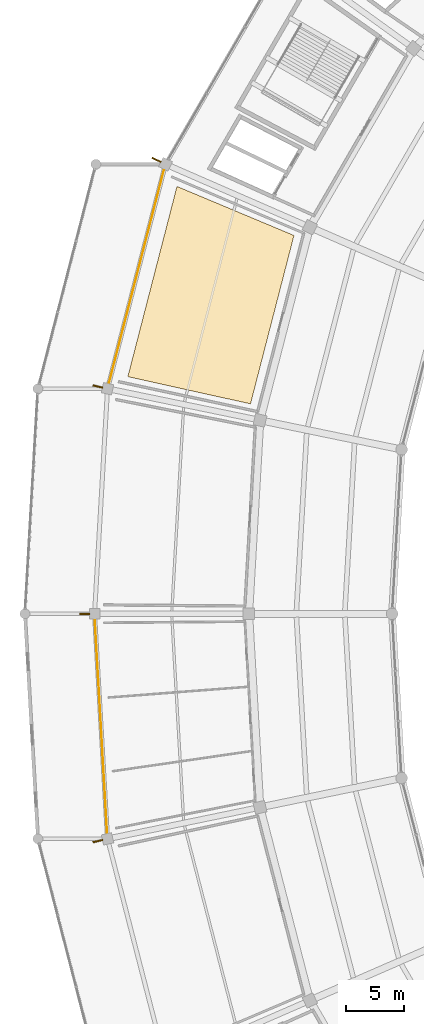
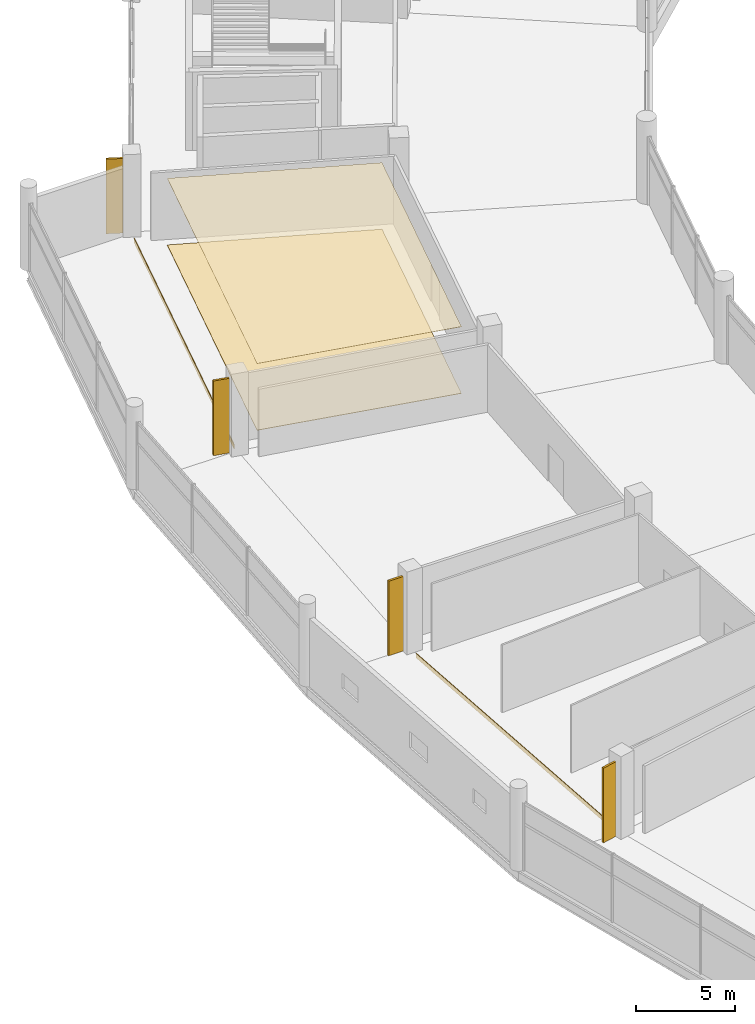
# One storey, part 179 of 184: 4 coverings, 4 shading devices.
"""IFC4 building model written with IfcOpenShell, lengths in metres."""

import ifcopenshell
import ifcopenshell.guid

model = None  # the IFC model being written
_history = None  # IfcOwnerHistory: only IFC2X3 demands one
_inside = {}  # id of a spatial element -> (the spatial element, [elements in it])
_under = {}  # id of a project, library or spatial element -> (it, [spatial elements below it])
_declared = {}  # id of a project -> (the project, [libraries it declares])
_typed = {}  # id of a type object -> (the type object, [elements of that type])
_made_of = {}  # id of a material, layer set ... -> (it, [elements and type objects made of it])


def new_model(schema):
    """Start an empty IFC model of exactly this schema.

    Asked for "IFC4X3", IfcOpenShell would pick the latest addendum, in which some entities
    have other attributes; the version numbers below select the first issue.
    IFC2X3 requires an IfcOwnerHistory on every rooted entity: one is made here for all.
    """
    global model, _history
    if schema == "IFC4X3":
        model = ifcopenshell.file(schema_version=(4, 3, 0, 0))
    else:
        model = ifcopenshell.file(schema=schema)
    _inside.clear()
    _under.clear()
    _declared.clear()
    _typed.clear()
    _made_of.clear()
    _history = None
    if model.schema == "IFC2X3":
        org = make("IfcOrganization", Name="unknown")
        user = make(
            "IfcPersonAndOrganization",
            ThePerson=make("IfcPerson", FamilyName="unknown"),
            TheOrganization=org,
        )
        app = make(
            "IfcApplication",
            ApplicationDeveloper=org,
            Version="unknown",
            ApplicationFullName="unknown",
            ApplicationIdentifier="unknown",
        )
        _history = make(
            "IfcOwnerHistory",
            OwningUser=user,
            OwningApplication=app,
            ChangeAction="ADDED",
            CreationDate=0,
        )
    return model


def make(cls, **values):
    """One entity of the class cls with the attributes given. An attribute that is None is left unset."""
    return model.create_entity(
        cls, **{name: value for name, value in values.items() if value is not None}
    )


def rooted(cls, **values):
    """An entity with a GlobalId (a new one), such as an element, a storey or a relation."""
    return make(cls, GlobalId=ifcopenshell.guid.new(), OwnerHistory=_history, **values)


def si_unit(unit_type, name, prefix=None):
    """IfcSIUnit, for example si_unit("LENGTHUNIT", "METRE", prefix="MILLI")."""
    return make("IfcSIUnit", UnitType=unit_type, Prefix=prefix, Name=name)


def assignment(units):
    """IfcUnitAssignment: the units of a project."""
    return None if units is None else make("IfcUnitAssignment", Units=units)


def point(xyz):
    """IfcCartesianPoint."""
    return None if xyz is None else make("IfcCartesianPoint", Coordinates=xyz)


def direction(xyz):
    """IfcDirection."""
    return None if xyz is None else make("IfcDirection", DirectionRatios=xyz)


def frame(location, z_axis=None, x_axis=None):
    """IfcAxis2Placement3D, a coordinate frame: its origin and axes. An axis left out is left unset."""
    return make(
        "IfcAxis2Placement3D",
        Location=point(location),
        Axis=direction(z_axis),
        RefDirection=direction(x_axis),
    )


def frame_2d(location, x_axis=None):
    """IfcAxis2Placement2D, a coordinate frame in the plane: its origin and x axis."""
    return make(
        "IfcAxis2Placement2D", Location=point(location), RefDirection=direction(x_axis)
    )


def origin():
    """The frame at (0, 0, 0) with its axes left unset."""
    return frame((0.0, 0.0, 0.0))


def origin_2d():
    """The frame at (0, 0) in the plane with its x axis left unset."""
    return frame_2d((0.0, 0.0))


def place(relative_to, where):
    """IfcLocalPlacement: puts the frame where relative to a parent placement (None: the world)."""
    return make(
        "IfcLocalPlacement", PlacementRelTo=relative_to, RelativePlacement=where
    )


def context(
    kind, dimensions, precision=None, world=None, true_north=None, identifier=None
):
    """IfcGeometricRepresentationContext, for example the 3D "Model" context."""
    return make(
        "IfcGeometricRepresentationContext",
        ContextIdentifier=identifier,
        ContextType=kind,
        CoordinateSpaceDimension=dimensions,
        Precision=precision,
        WorldCoordinateSystem=world,
        TrueNorth=true_north,
    )


def subcontext(parent, identifier, kind, view, scale=None):
    """IfcGeometricRepresentationSubContext, for example "Body" below "Model"."""
    return make(
        "IfcGeometricRepresentationSubContext",
        ContextIdentifier=identifier,
        ContextType=kind,
        ParentContext=parent,
        TargetScale=scale,
        TargetView=view,
    )


def project(units=None, contexts=None):
    """IfcProject with its units and contexts."""
    return rooted(
        "IfcProject",
        Name="project",
        RepresentationContexts=contexts,
        UnitsInContext=assignment(units),
    )


def spatial(cls, under=None, at=None, **own):
    """A site, building, storey or space (cls), placed at a placement, below another one or the project."""
    s = rooted(cls, ObjectPlacement=at, **own)
    if under is not None:
        _under.setdefault(under.id(), (under, []))[1].append(s)
    return s


def polyline(points):
    """IfcPolyline through the points."""
    return make("IfcPolyline", Points=[point(p) for p in points])


def profile(cls, at=None, kind="AREA", **sizes):
    """A parametric profile (cls). Its sizes go by their IFC names, for example OverallWidth=200.0."""
    return make(cls, ProfileType=kind, Position=at, **sizes)


def rectangle(**sizes):
    """IfcRectangleProfileDef."""
    return profile("IfcRectangleProfileDef", **sizes)


def outline(outer, holes=None, kind="AREA"):
    """IfcArbitraryClosedProfileDef: a profile drawn as a closed curve; with holes, ...WithVoids."""
    if holes is None:
        return make("IfcArbitraryClosedProfileDef", ProfileType=kind, OuterCurve=outer)
    return make(
        "IfcArbitraryProfileDefWithVoids",
        ProfileType=kind,
        OuterCurve=outer,
        InnerCurves=holes,
    )


def extrude(swept, where, along, depth):
    """IfcExtrudedAreaSolid: the profile swept, set in the frame where, extruded along a direction by depth."""
    return make(
        "IfcExtrudedAreaSolid",
        SweptArea=swept,
        Position=where,
        ExtrudedDirection=direction(along),
        Depth=depth,
    )


def shape(context_of_items, identifier, shape_type, items):
    """IfcShapeRepresentation: the items that make up one representation, for example the "Body"."""
    return make(
        "IfcShapeRepresentation",
        ContextOfItems=context_of_items,
        RepresentationIdentifier=identifier,
        RepresentationType=shape_type,
        Items=items,
    )


def material(Name=None, Category=None):
    """IfcMaterial."""
    return make("IfcMaterial", Name=Name, Category=Category)


def layer(
    of_material, thickness, ventilated=None, Name=None, Category=None, Priority=None
):
    """IfcMaterialLayer: one layer of a wall or slab, of a material (None: an air gap)."""
    return make(
        "IfcMaterialLayer",
        Material=of_material,
        LayerThickness=thickness,
        IsVentilated=ventilated,
        Name=Name,
        Category=Category,
        Priority=Priority,
    )


def layer_set(layers, Name=None):
    """IfcMaterialLayerSet."""
    return make("IfcMaterialLayerSet", MaterialLayers=layers, LayerSetName=Name)


def made_of(thing, what):
    """Note that an element or type object is made of a material, layer set ...; save() writes the relation."""
    if what is not None:
        _made_of.setdefault(what.id(), (what, []))[1].append(thing)
    return thing


def type_object(cls, material=None, **own):
    """A type object (cls), such as IfcWallType, which elements share."""
    return made_of(rooted(cls, **own), material)


def element(
    cls,
    number,
    at=None,
    inside=None,
    cuts=None,
    type_object=None,
    material=None,
    context=None,
    identifier="Body",
    shape_type=None,
    held_by="IfcProductDefinitionShape",
    body=None,
    shapes=None,
    **own,
):
    """One element of the class cls, such as IfcWall. Its Tag is "e" and its number.

    at: its placement. inside: the storey or other place that contains it. cuts: it is an
    opening in that element (IfcRelVoidsElement). A single representation is given by context,
    identifier, shape_type and body (its items); several are given by shapes. held_by: the class
    of the entity that holds the representations. save() writes the other relations.
    """
    e = rooted(cls, Tag="e%d" % number, ObjectPlacement=at, **own)
    if body is not None:
        shapes = [shape(context, identifier, shape_type, body)]
    if shapes is not None:
        e.Representation = make(held_by, Representations=shapes)
    if inside is not None:
        _inside.setdefault(inside.id(), (inside, []))[1].append(e)
    if cuts is not None:
        rooted(
            "IfcRelVoidsElement", RelatingBuildingElement=cuts, RelatedOpeningElement=e
        )
    if type_object is not None:
        _typed.setdefault(type_object.id(), (type_object, []))[1].append(e)
    return made_of(e, material)


def aggregate(whole, parts):
    """IfcRelAggregates: a whole, such as a stair, and the parts it consists of."""
    return rooted("IfcRelAggregates", RelatingObject=whole, RelatedObjects=parts)


def save(model, path):
    """Write the relations noted so far, then the file.

    IfcRelAggregates (storeys below a building ...), IfcRelContainedInSpatialStructure (elements
    in a storey), IfcRelDefinesByType, IfcRelAssociatesMaterial and IfcRelDeclares: one each for
    every whole, place, type object, material and project.
    """
    for whole, parts in _under.values():
        aggregate(whole, parts)
    for where, things in _inside.values():
        rooted(
            "IfcRelContainedInSpatialStructure",
            RelatedElements=things,
            RelatingStructure=where,
        )
    for kind, things in _typed.values():
        rooted("IfcRelDefinesByType", RelatedObjects=things, RelatingType=kind)
    for what, things in _made_of.values():
        rooted("IfcRelAssociatesMaterial", RelatedObjects=things, RelatingMaterial=what)
    for by, libraries in _declared.values():
        rooted("IfcRelDeclares", RelatingContext=by, RelatedDefinitions=libraries)
    model.write(path)


model = new_model("IFC4")

# Units and contexts
model_context = context("Model", 3, precision=1e-05, world=origin(), true_north=direction((0.0, 1.0)))
body_context = subcontext(model_context, "Body", "Model", "MODEL_VIEW")
ifc_project = project(units=[si_unit("LENGTHUNIT", "METRE"), si_unit("AREAUNIT", "SQUARE_METRE"), si_unit("VOLUMEUNIT", "CUBIC_METRE"), si_unit("PLANEANGLEUNIT", "RADIAN"), si_unit("MASSUNIT", "GRAM", prefix="KILO")], contexts=[model_context])

# Site, building, storey
site_placement = place(None, origin())
site = spatial("IfcSite", under=ifc_project, at=site_placement, CompositionType="ELEMENT")
building_placement = place(site_placement, origin())
building = spatial("IfcBuilding", under=site, at=building_placement, Name="Kazemori Nagisa Stadium", CompositionType="ELEMENT")
storey_placement = place(building_placement, frame((0.0, 0.0, 10.5400390625)))
storey = spatial("IfcBuildingStorey", under=building, at=storey_placement, Name="L02", CompositionType="ELEMENT", Elevation=10.5400390625)

# Coverings
ifc_material_1 = material(Name="Mineral-fibre acoustic board", Category="gypsum")
ifc_layer_1 = layer(ifc_material_1, 0.02001953125, Name="Mineral-fibre acoustic board", Category="gypsum")
ifc_layer_set_1 = layer_set([ifc_layer_1], Name="Mineral-fibre acoustic board")
covering_type_1 = type_object("IfcCoveringType", Name="Cov_CEIL", PredefinedType="CEILING", material=ifc_layer_set_1)
covering_1_placement = place(storey_placement, frame((0.0, 0.0, 4.10986328125)))
element("IfcCovering", 1, at=covering_1_placement, inside=storey, type_object=covering_type_1, Name="Acoustic ceiling L02-B13", PredefinedType="CEILING", context=body_context, shape_type="SweptSolid", body=[
    extrude(outline(polyline([(45.1875, 134.6083984375), (41.44091796875, 120.095947265625), (30.871826171875, 122.44091796875), (35.103759765625, 138.833984375), (45.1875, 134.6083984375)])), origin(), (0.0, 0.0, 1.0), 0.02001953125),
])
ifc_material_2 = material(Name="Porcelain stoneware tile", Category="masonry")
ifc_layer_2 = layer(ifc_material_2, 0.02490234375, Name="Porcelain stoneware tile", Category="masonry")
ifc_layer_set_2 = layer_set([ifc_layer_2], Name="Porcelain stoneware tile")
covering_type_2 = type_object("IfcCoveringType", Name="Cov_FLOOR", PredefinedType="FLOORING", material=ifc_layer_set_2)
covering_2_placement = place(storey_placement, origin())
element("IfcCovering", 2, at=covering_2_placement, inside=storey, type_object=covering_type_2, Name="Porcelain floor finish L02-B13", PredefinedType="FLOORING", context=body_context, shape_type="SweptSolid", body=[
    extrude(outline(polyline([(45.1875, 134.6083984375), (41.44091796875, 120.095947265625), (30.871826171875, 122.44091796875), (35.103759765625, 138.833984375), (45.1875, 134.6083984375)])), origin(), (0.0, 0.0, 1.0), 0.02490234375),
])
ifc_material_3 = material(Name="Anodised aluminium 6063-T5", Category="aluminium")
ifc_layer_3 = layer(ifc_material_3, 0.034912109375, Name="Anodised aluminium 6063-T5", Category="aluminium")
ifc_layer_set_3 = layer_set([ifc_layer_3], Name="Anodised aluminium 6063-T5")
covering_type_3 = type_object("IfcCoveringType", Name="Covering_CLAD", PredefinedType="CLADDING", material=ifc_layer_set_3)
covering_3_placement = place(storey_placement, frame((31.6171875, 131.07373046875, -0.26025390625), z_axis=(0.0, 0.0, 1.0), x_axis=(-0.249964642418, -0.968254965152, 0.0)))
element("IfcCovering", 3, at=covering_3_placement, inside=storey, type_object=covering_type_3, Name="Anodised fascia cladding L02-B13", PredefinedType="CLADDING", context=body_context, shape_type="SweptSolid", body=[
    extrude(rectangle(XDim=18.88623046875, YDim=0.0400390625, at=origin_2d()), origin(), (0.0, 0.0, 1.0), 0.260009765625),
])
covering_4_placement = place(storey_placement, frame((28.5595703125, 92.30126953125, -0.26025390625), z_axis=(0.0, 0.0, 1.0), x_axis=(0.057601670941, -0.998339645364, 0.0)))
element("IfcCovering", 4, at=covering_4_placement, inside=storey, type_object=covering_type_3, Name="Anodised fascia cladding L02-B15", PredefinedType="CLADDING", context=body_context, shape_type="SweptSolid", body=[
    extrude(rectangle(XDim=18.329833984375, YDim=0.0400390625, at=origin_2d()), origin(), (0.0, 0.0, 1.0), 0.260009765625),
])

# Shading devices
ifc_material_4 = material(Name="Aluminium 6063-T5 anodised", Category="aluminium")
shading_device_type = type_object("IfcShadingDeviceType", Name="Fin_FN02", PredefinedType="USERDEFINED", material=ifc_material_4)
for number, where, z_axis, x_axis, name in (
    (5, (33.3447265625, 141.12060546875, 0.0), (0.0, 0.0, 1.0), (-0.900968867905, 0.433883739113, 0.0), "Aerodynamic wave shading fin L02-13"),
    (6, (28.28564453125, 121.587890625, 0.0), (0.0, 0.0, 1.0), (-0.974927912182, 0.222520933954, 0.0), "Aerodynamic wave shading fin L02-14"),
    (7, (27.14501953125, 102.0, 0.0), (0.0, 0.0, 1.0), (-1.0, 0.0, 0.0), "Aerodynamic wave shading fin L02-15"),
    (8, (28.28564453125, 82.412109375, 0.0), (0.0, 0.0, 1.0), (-0.974927912182, -0.222520933954, 0.0), "Aerodynamic wave shading fin L02-16"),
):
    element("IfcShadingDevice", number, at=place(storey_placement, frame(where, z_axis=z_axis, x_axis=x_axis)), inside=storey, type_object=shading_device_type, Name=name, ObjectType="FIN", PredefinedType="USERDEFINED", context=body_context, shape_type="SweptSolid", body=[
        extrude(rectangle(XDim=0.85009765625, YDim=0.1201171875, at=origin_2d()), origin(), (0.0, 0.0, 1.0), 4.60009765625),
    ])

save(model, "model.ifc")
